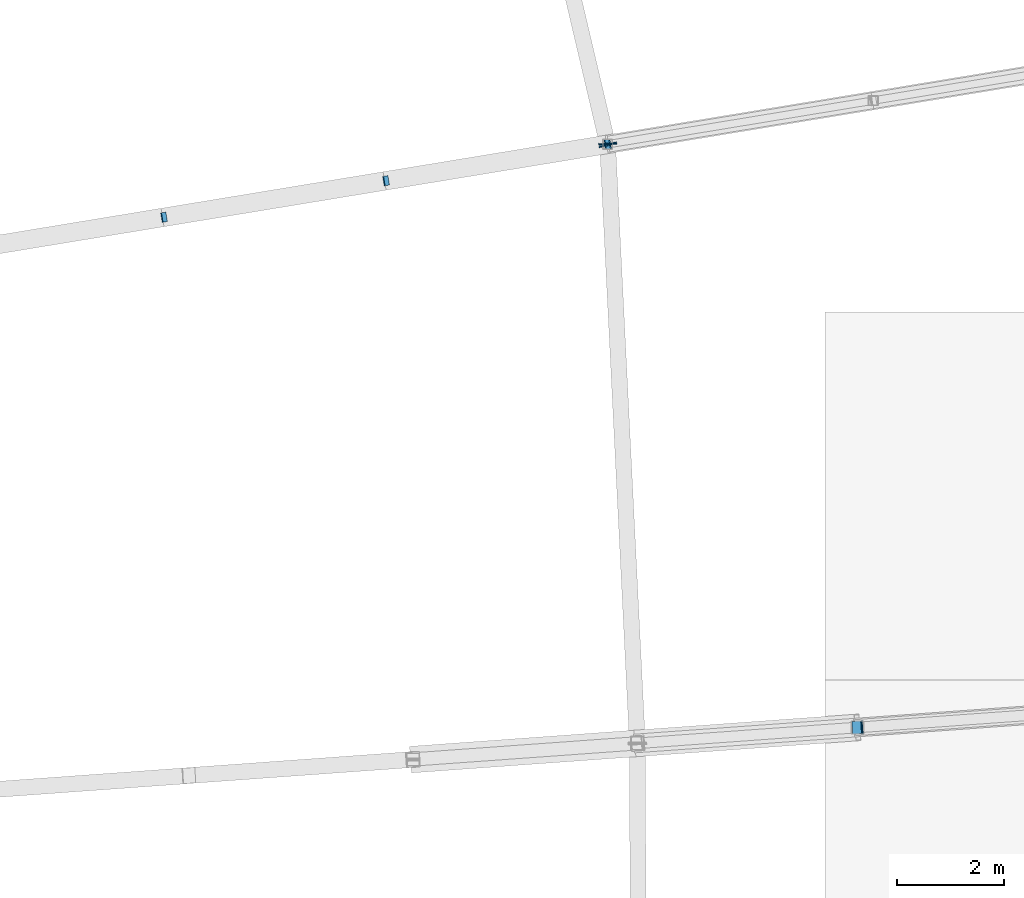
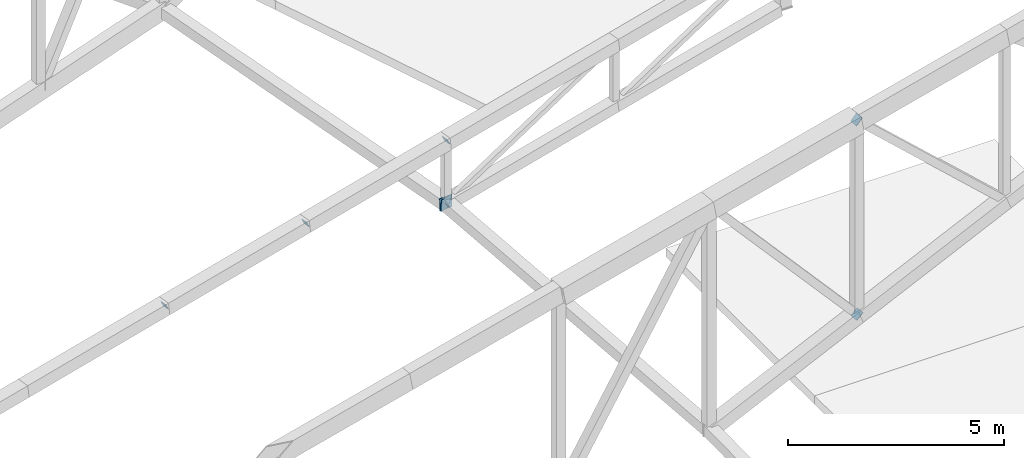
# One storey, part 177 of 188: 8 discrete accessories.
"""IFC4 building model written with IfcOpenShell, lengths in metres."""

from ifc_helpers import new_model, si_unit, direction, frame, origin, origin_2d, place, context, subcontext, project, spatial, rectangle, extrude, material, material_profile, profile_set, type_object, element, save


model = new_model("IFC4")

# Units and contexts
model_context = context("Model", 3, precision=1e-05, world=origin(), true_north=direction((0.0, 1.0)))
body_context = subcontext(model_context, "Body", "Model", "MODEL_VIEW")
ifc_project = project(units=[si_unit("LENGTHUNIT", "METRE"), si_unit("AREAUNIT", "SQUARE_METRE"), si_unit("VOLUMEUNIT", "CUBIC_METRE"), si_unit("PLANEANGLEUNIT", "RADIAN"), si_unit("MASSUNIT", "GRAM", prefix="KILO")], contexts=[model_context])

# Site, building, storey
site_placement = place(None, origin())
site = spatial("IfcSite", under=ifc_project, at=site_placement, CompositionType="ELEMENT")
building_placement = place(site_placement, origin())
building = spatial("IfcBuilding", under=site, at=building_placement, Name="Meseta Stadium", CompositionType="ELEMENT")
storey_placement = place(building_placement, frame((0.0, 0.0, 30.0)))
storey = spatial("IfcBuildingStorey", under=building, at=storey_placement, Name="ROOF", CompositionType="ELEMENT", Elevation=30.0)

# Discrete accessories
ifc_material_1 = material(Name="Steel S355", Category="steel")
ifc_material_profile_1 = material_profile(ifc_material_1, rectangle(XDim=0.179931640625, YDim=0.179931640625, at=origin_2d()), Name="PL 180x180")
ifc_profile_set_1 = profile_set([ifc_material_profile_1], Name="Steel S355")
discrete_accessory_type_1 = type_object("IfcDiscreteAccessoryType", Name="End plate 180x180x20", PredefinedType="ANCHORPLATE", material=ifc_profile_set_1)
for number, where, z_axis, x_axis, name in (
    (1, (75.99267578125, 52.430908203125, 1.631103515625), (0.874931437699, 0.145821906283, 0.461769369896), (-0.164398987305, 0.986393923832, 0.0), "End plate of ROOF TRUSS RT-09 diagonal"),
    (2, (80.158935546875, 53.1162109375, 2.093994140625), (0.874931437699, 0.145821906283, 0.461769369896), (-0.164398987305, 0.986393923832, 0.0), "End plate of ROOF TRUSS RT-09 diagonal"),
    (3, (84.3251953125, 53.801513671875, 2.556884765625), (0.874931437699, 0.145821906283, 0.461769369896), (-0.164398987305, 0.986393923832, 0.0), "End plate of ROOF TRUSS RT-09 diagonal"),
):
    element("IfcDiscreteAccessory", number, at=place(storey_placement, frame(where, z_axis=z_axis, x_axis=x_axis)), inside=storey, type_object=discrete_accessory_type_1, Name=name, PredefinedType="ANCHORPLATE", context=body_context, shape_type="SweptSolid", body=[
        extrude(rectangle(XDim=0.179931640625, YDim=0.179931640625, at=origin_2d()), origin(), (0.0, 0.0, 1.0), 0.02001953125),
    ])
discrete_accessory_1_placement = place(storey_placement, frame((84.307373046875, 53.798583984375, 0.791748046875), z_axis=(0.896600239651, 0.147386340765, 0.417594632166), x_axis=(-0.162206600298, 0.986756818481, 0.0)))
element("IfcDiscreteAccessory", 4, at=discrete_accessory_1_placement, inside=storey, type_object=discrete_accessory_type_1, Name="End plate of ROOF TRUSS RT-09 diagonal", PredefinedType="ANCHORPLATE", context=body_context, shape_type="SweptSolid", body=[
    extrude(rectangle(XDim=0.179931640625, YDim=0.179931640625, at=origin_2d()), origin(), (0.0, 0.0, 1.0), 0.019775390625),
])
ifc_material_2 = material(Name="Steel S355", Category="steel")
ifc_material_profile_2 = material_profile(ifc_material_2, rectangle(XDim=0.239990234375, YDim=0.239990234375, at=origin_2d()), Name="PL 240x240")
ifc_profile_set_2 = profile_set([ifc_material_profile_2], Name="Steel S355")
discrete_accessory_type_2 = type_object("IfcDiscreteAccessoryType", Name="End plate 240x240x20", PredefinedType="ANCHORPLATE", material=ifc_profile_set_2)
discrete_accessory_2_placement = place(storey_placement, frame((89.012939453125, 42.858642578125, 2.643310546875), z_axis=(0.656004866512, 0.048592953075, -0.753190772662), x_axis=(-0.073871685515, 0.997267754457, 0.0)))
element("IfcDiscreteAccessory", 5, at=discrete_accessory_2_placement, inside=storey, type_object=discrete_accessory_type_2, Name="End plate of ROOF TRUSS RT-08 diagonal", PredefinedType="ANCHORPLATE", context=body_context, shape_type="SweptSolid", body=[
    extrude(rectangle(XDim=0.239990234375, YDim=0.239990234375, at=origin_2d()), origin(), (0.0, 0.0, 1.0), 0.02001953125),
])
discrete_accessory_3_placement = place(storey_placement, frame((88.99853515625, 42.857666015625, 8.156982421875), z_axis=(0.724430977539, 0.049113964579, -0.687595504105), x_axis=(-0.067641335737, 0.997709702118, 0.0)))
element("IfcDiscreteAccessory", 6, at=discrete_accessory_3_placement, inside=storey, type_object=discrete_accessory_type_2, Name="End plate of ROOF TRUSS RT-08 diagonal", PredefinedType="ANCHORPLATE", context=body_context, shape_type="SweptSolid", body=[
    extrude(rectangle(XDim=0.239990234375, YDim=0.239990234375, at=origin_2d()), origin(), (0.0, 0.0, 1.0), 0.019775390625),
])
ifc_material_3 = material(Name="Steel S355", Category="steel")
ifc_material_profile_3 = material_profile(ifc_material_3, rectangle(XDim=0.340087890625, YDim=0.340087890625, at=origin_2d()), Name="PL 340x340")
ifc_profile_set_3 = profile_set([ifc_material_profile_3], Name="Steel S355")
discrete_accessory_type_3 = type_object("IfcDiscreteAccessoryType", Name="End plate 340x340x20", PredefinedType="ANCHORPLATE", material=ifc_profile_set_3)
discrete_accessory_4_placement = place(storey_placement, frame((84.3251953125, 53.801513671875, 0.800048828125), z_axis=(-0.048708102414, 0.998516099494, -0.024354051207), x_axis=(-0.998812351125, -0.048722553713, 0.0)))
element("IfcDiscreteAccessory", 7, at=discrete_accessory_4_placement, inside=storey, type_object=discrete_accessory_type_3, Name="End plate of ROOF PIVOT STRUT RT-08/09", PredefinedType="ANCHORPLATE", context=body_context, shape_type="SweptSolid", body=[
    extrude(rectangle(XDim=0.340087890625, YDim=0.340087890625, at=origin_2d()), origin(), (0.0, 0.0, 1.0), 0.02001953125),
])
discrete_accessory_5_placement = place(storey_placement, frame((84.329833984375, 53.7822265625, 0.798828125), z_axis=(-0.233396917332, 0.97043981417, 0.061420241403), x_axis=(-0.972275475429, -0.233838405483, 0.0)))
element("IfcDiscreteAccessory", 8, at=discrete_accessory_5_placement, inside=storey, type_object=discrete_accessory_type_3, Name="End plate of ROOF PIVOT STRUT RT-09/10", PredefinedType="ANCHORPLATE", context=body_context, shape_type="SweptSolid", body=[
    extrude(rectangle(XDim=0.340087890625, YDim=0.340087890625, at=origin_2d()), origin(), (0.0, 0.0, 1.0), 0.019775390625),
])

save(model, "model.ifc")
